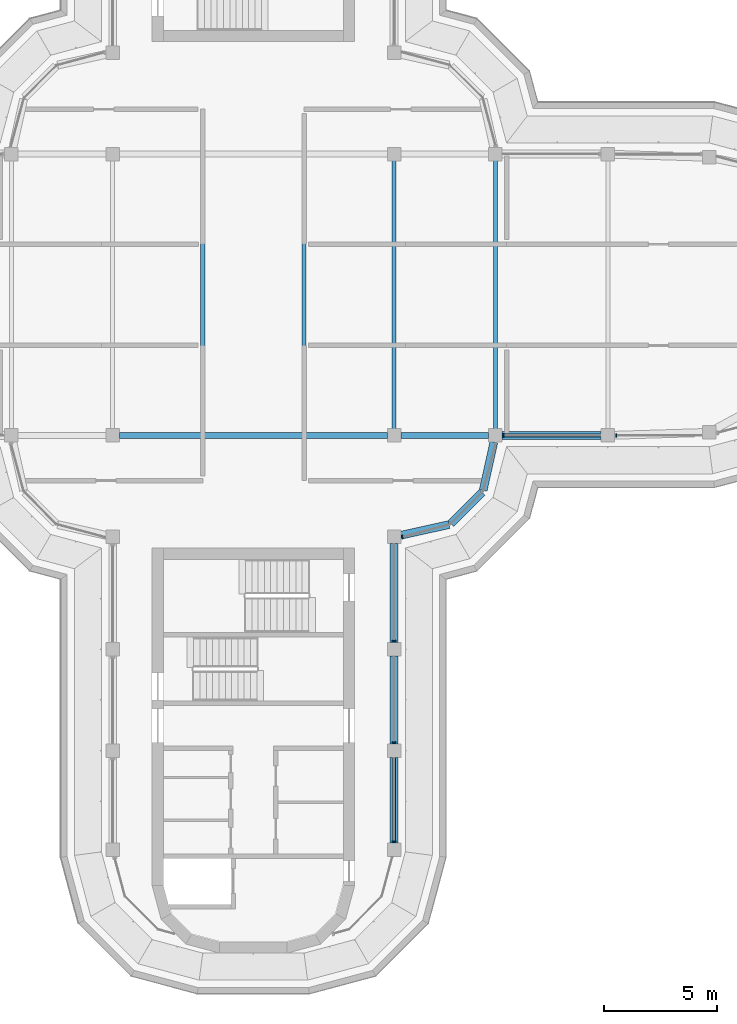
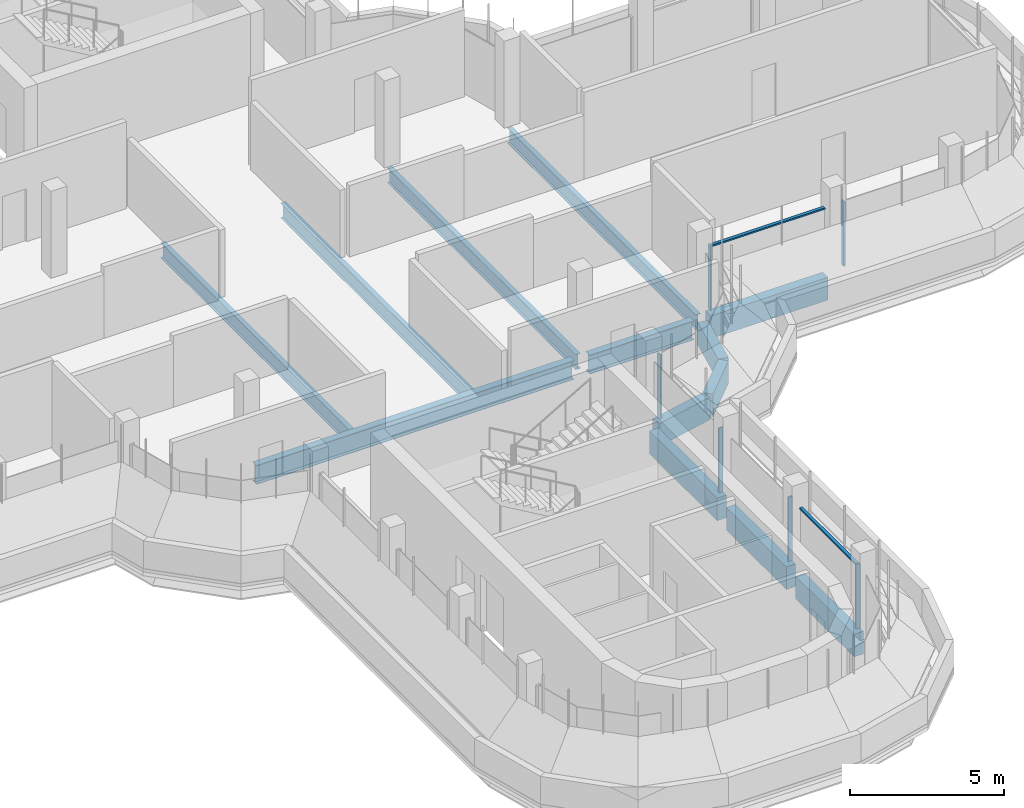
# One storey, part 4 of 19: 13 beams, 8 members, 3 elements without a shape of their own.
"""IFC4 building model written with IfcOpenShell, lengths in metres."""

from ifc_helpers import new_model, si_unit, direction, frame, origin, origin_2d, place, context, subcontext, project, spatial, polyline, rectangle, i_section, outline, extrude, source, transform, mapped, material, material_profile, profile_set, type_object, element, aggregate, save


model = new_model("IFC4")

# Units and contexts
model_context = context("Model", 3, precision=1e-05, world=origin(), true_north=direction((0.0, 1.0)))
body_context = subcontext(model_context, "Body", "Model", "MODEL_VIEW")
ifc_project = project(units=[si_unit("LENGTHUNIT", "METRE"), si_unit("AREAUNIT", "SQUARE_METRE"), si_unit("VOLUMEUNIT", "CUBIC_METRE"), si_unit("PLANEANGLEUNIT", "RADIAN"), si_unit("MASSUNIT", "GRAM", prefix="KILO")], contexts=[model_context])

# Site, building, storey
site_placement = place(None, origin())
site = spatial("IfcSite", under=ifc_project, at=site_placement, CompositionType="ELEMENT")
building_placement = place(site_placement, origin())
building = spatial("IfcBuilding", under=site, at=building_placement, Name="Zarbagh Exchange Tower", CompositionType="ELEMENT")
storey_placement = place(building_placement, frame((0.0, 0.0, 295.199951171875)))
storey = spatial("IfcBuildingStorey", under=building, at=storey_placement, Name="L72", CompositionType="ELEMENT", Elevation=295.199951171875)

# Beams
ifc_material_1 = material(Name="Steel ASTM A992 Gr 50", Category="steel")
ifc_material_profile_1 = material_profile(ifc_material_1, i_section(OverallWidth=0.1787109375, OverallDepth=0.60205078125, WebThickness=0.010986328125, FlangeThickness=0.014892578125, at=origin_2d()), Name="W24X62")
ifc_profile_set_1 = profile_set([ifc_material_profile_1], Name="Steel ASTM A992 Gr 50")
beam_type_1 = type_object("IfcBeamType", Name="Floor beam W24X62", PredefinedType="BEAM", material=ifc_profile_set_1)
for number, where, z_axis, x_axis, name in (
    (1, (-2.25, -6.117919921875, -0.450927734375), (0.0, 1.0, 0.0), (-1.0, 0.0, 0.0), "Steel floor beam"),
    (2, (2.25, -6.117919921875, -0.450927734375), (0.0, 1.0, 0.0), (-1.0, 0.0, 0.0), "Steel floor beam"),
    (3, (6.25, -6.117919921875, -0.450927734375), (0.0, 1.0, 0.0), (-1.0, 0.0, 0.0), "Steel floor beam"),
    (4, (10.75, -6.117919921875, -0.450927734375), (0.0, 1.0, 0.0), (-1.0, 0.0, 0.0), "Steel floor beam"),
):
    element("IfcBeam", number, at=place(storey_placement, frame(where, z_axis=z_axis, x_axis=x_axis)), inside=storey, type_object=beam_type_1, Name=name, PredefinedType="BEAM", context=body_context, shape_type="SweptSolid", body=[
        extrude(i_section(OverallWidth=0.1787109375, OverallDepth=0.60205078125, WebThickness=0.010986328125, FlangeThickness=0.014892578125, at=origin_2d()), origin(), (0.0, 0.0, 1.0), 12.23583984375),
    ])
ifc_material_profile_2 = material_profile(ifc_material_1, i_section(OverallWidth=0.26416015625, OverallDepth=0.749267578125, WebThickness=0.011962890625, FlangeThickness=0.015380859375, at=origin_2d()), Name="W30X90")
ifc_profile_set_2 = profile_set([ifc_material_profile_2], Name="Steel ASTM A992 Gr 50")
beam_type_2 = type_object("IfcBeamType", Name="Floor girder W30X90", PredefinedType="BEAM", material=ifc_profile_set_2)
beam_1_placement = place(storey_placement, frame((-5.949951171875, -6.25, -0.524658203125), z_axis=(1.0, 0.0, 0.0), x_axis=(0.0, 1.0, 0.0)))
element("IfcBeam", 5, at=beam_1_placement, inside=storey, type_object=beam_type_2, Name="Steel girder", PredefinedType="BEAM", context=body_context, shape_type="SweptSolid", body=[
    extrude(i_section(OverallWidth=0.26416015625, OverallDepth=0.749267578125, WebThickness=0.011962890625, FlangeThickness=0.015380859375, at=origin_2d()), origin(), (0.0, 0.0, 1.0), 11.89990234375),
])
beam_2_placement = place(storey_placement, frame((6.550048828125, -6.25, -0.524658203125), z_axis=(1.0, 0.0, 0.0), x_axis=(0.0, 1.0, 0.0)))
element("IfcBeam", 6, at=beam_2_placement, inside=storey, type_object=beam_type_2, Name="Steel girder", PredefinedType="BEAM", context=body_context, shape_type="SweptSolid", body=[
    extrude(i_section(OverallWidth=0.26416015625, OverallDepth=0.749267578125, WebThickness=0.011962890625, FlangeThickness=0.015380859375, at=origin_2d()), origin(), (0.0, 0.0, 1.0), 3.89990234375),
])
ifc_material_2 = material(Name="Concrete C40/50", Category="concrete")
ifc_material_profile_3 = material_profile(ifc_material_2, rectangle(XDim=0.35009765625, YDim=0.89990234375, at=origin_2d()), Name="RC spandrel beam 350 x 900 C40/50")
ifc_profile_set_3 = profile_set([ifc_material_profile_3], Name="Concrete C40/50")
beam_type_3 = type_object("IfcBeamType", Name="RC spandrel beam 350 x 900 C40/50", PredefinedType="SPANDREL", material=ifc_profile_set_3)
beam_3_placement = place(storey_placement, frame((15.449951171875, -6.25, -0.599853515625), z_axis=(-1.0, 0.0, 0.0), x_axis=(0.0, -1.0, 0.0)))
element("IfcBeam", 7, at=beam_3_placement, inside=storey, type_object=beam_type_3, Name="RC spandrel beam", PredefinedType="SPANDREL", context=body_context, shape_type="SweptSolid", body=[
    extrude(rectangle(XDim=0.35009765625, YDim=0.89990234375, at=origin_2d()), origin(), (0.0, 0.0, 1.0), 4.39990234375),
])
beam_4_placement = place(storey_placement, frame((10.685302734375, -6.54296875, -0.599853515625), z_axis=(-0.216025770228, -0.976387662047, 0.0), x_axis=(0.976387662047, -0.216025770228, 0.0)))
element("IfcBeam", 8, at=beam_4_placement, inside=storey, type_object=beam_type_3, Name="RC spandrel beam", PredefinedType="SPANDREL", context=body_context, shape_type="SweptSolid", body=[
    extrude(rectangle(XDim=0.35009765625, YDim=0.89990234375, at=origin_2d()), origin(), (0.0, 0.0, 1.0), 2.200439453125),
])
beam_5_placement = place(storey_placement, frame((10.16259765625, -8.77734375, -0.599853515625), z_axis=(-0.707106781187, -0.707106781187, 0.0), x_axis=(0.707106781187, -0.707106781187, 0.0)))
element("IfcBeam", 9, at=beam_5_placement, inside=storey, type_object=beam_type_3, Name="RC spandrel beam", PredefinedType="SPANDREL", context=body_context, shape_type="SweptSolid", body=[
    extrude(rectangle(XDim=0.35009765625, YDim=0.89990234375, at=origin_2d()), origin(), (0.0, 0.0, 1.0), 1.958984375),
])
beam_6_placement = place(storey_placement, frame((8.69140625, -10.2099609375, -0.599853515625), z_axis=(-0.976387662047, -0.216025770228, 0.0), x_axis=(0.216025770228, -0.976387662047, 0.0)))
element("IfcBeam", 10, at=beam_6_placement, inside=storey, type_object=beam_type_3, Name="RC spandrel beam", PredefinedType="SPANDREL", context=body_context, shape_type="SweptSolid", body=[
    extrude(rectangle(XDim=0.35009765625, YDim=0.89990234375, at=origin_2d()), origin(), (0.0, 0.0, 1.0), 2.200439453125),
])
beam_7_placement = place(storey_placement, frame((6.25, -11.050048828125, -0.599853515625), z_axis=(0.0, -1.0, 0.0), x_axis=(1.0, 0.0, 0.0)))
element("IfcBeam", 11, at=beam_7_placement, inside=storey, type_object=beam_type_3, Name="RC spandrel beam", PredefinedType="SPANDREL", context=body_context, shape_type="SweptSolid", body=[
    extrude(rectangle(XDim=0.35009765625, YDim=0.89990234375, at=origin_2d()), origin(), (0.0, 0.0, 1.0), 4.39990234375),
])
beam_8_placement = place(storey_placement, frame((6.25, -16.050048828125, -0.599853515625), z_axis=(0.0, -1.0, 0.0), x_axis=(1.0, 0.0, 0.0)))
element("IfcBeam", 12, at=beam_8_placement, inside=storey, type_object=beam_type_3, Name="RC spandrel beam", PredefinedType="SPANDREL", context=body_context, shape_type="SweptSolid", body=[
    extrude(rectangle(XDim=0.35009765625, YDim=0.89990234375, at=origin_2d()), origin(), (0.0, 0.0, 1.0), 3.89990234375),
])
beam_9_placement = place(storey_placement, frame((6.25, -20.550048828125, -0.599853515625), z_axis=(0.0, -1.0, 0.0), x_axis=(1.0, 0.0, 0.0)))
element("IfcBeam", 13, at=beam_9_placement, inside=storey, type_object=beam_type_3, Name="RC spandrel beam", PredefinedType="SPANDREL", context=body_context, shape_type="SweptSolid", body=[
    extrude(rectangle(XDim=0.35009765625, YDim=0.89990234375, at=origin_2d()), origin(), (0.0, 0.0, 1.0), 3.800048828125),
])

# Curtain wall, member
ifc_material_3 = material(Name="Anodised aluminium frame and glazing", Category="aluminium")
curtain_wall_type = type_object("IfcCurtainWallType", Name="CWF Crown tier glazing", PredefinedType="NOTDEFINED", material=ifc_material_3)
curtain_wall_1_placement = place(storey_placement, origin())
curtain_wall_1 = element("IfcCurtainWall", 14, at=curtain_wall_1_placement, inside=storey, type_object=curtain_wall_type, Name="CWF08 curtain wall", PredefinedType="NOTDEFINED")
ifc_material_4 = material(Name="Anodised aluminium frame", Category="aluminium")
member_type_1 = type_object("IfcMemberType", Name="TRF Transom, anodised aluminium frame", PredefinedType="USERDEFINED", material=ifc_material_4)
shared_shape_1 = source(origin(), body_context, "Body", "SweptSolid", [
    extrude(outline(polyline([(-0.06005859375, -0.06005859375), (0.0, -0.06005859375), (0.0, 0.06005859375), (-0.06005859375, 0.06005859375), (-0.06005859375, -0.06005859375)])), origin(), (0.0, 0.0, 1.0), 4.260009765625),
])
placement = place(storey_placement, origin())
member_1 = element("IfcMember", 15, at=placement, type_object=member_type_1, Name="CWF08 transom 1.1", ObjectType="TRANSOM", PredefinedType="USERDEFINED", context=body_context, shape_type="MappedRepresentation", body=[
    mapped(shared_shape_1, transform((11.150146484375, -6.25, 2.550048828125), x_axis=(0.0, 0.0, 1.0), y_axis=(0.0, -1.0, 0.0), z_axis=(1.0, 0.0, 0.0))),
])

# Curtain wall, members
curtain_wall_2_placement = place(storey_placement, origin())
curtain_wall_2 = element("IfcCurtainWall", 16, at=curtain_wall_2_placement, inside=storey, type_object=curtain_wall_type, Name="CWF04 curtain wall", PredefinedType="NOTDEFINED")
shared_shape_2 = source(origin(), body_context, "Body", "SweptSolid", [
    extrude(outline(polyline([(-0.06005859375, -0.06005859375), (0.0, -0.06005859375), (0.0, 0.06005859375), (-0.06005859375, 0.06005859375), (-0.06005859375, -0.06005859375)])), origin(), (0.0, 0.0, 1.0), 3.659912109375),
])
member_2 = element("IfcMember", 17, at=placement, type_object=member_type_1, Name="CWF04 transom 1.1", ObjectType="TRANSOM", PredefinedType="USERDEFINED", context=body_context, shape_type="MappedRepresentation", body=[
    mapped(shared_shape_2, transform((6.25, -24.25, 2.550048828125), x_axis=(0.0, 0.0, 1.0), y_axis=(1.0, 0.0, 0.0), z_axis=(0.0, 1.0, 0.0))),
])
member_type_2 = type_object("IfcMemberType", Name="MUF Mullion, anodised aluminium frame", PredefinedType="MULLION", material=ifc_material_4)
shared_shape_3 = source(origin(), body_context, "Body", "SweptSolid", [
    extrude(outline(polyline([(0.0, -0.080078125), (0.06005859375, -0.080078125), (0.06005859375, 0.080078125), (0.0, 0.080078125), (0.0, -0.080078125)])), origin(), (0.0, 0.0, 1.0), 2.550048828125),
])
member_3 = element("IfcMember", 18, at=placement, type_object=member_type_2, Name="CWF04 mullion 1.1", PredefinedType="MULLION", context=body_context, shape_type="MappedRepresentation", body=[
    mapped(shared_shape_3, transform((6.25, -24.31005859375, 0.0), x_axis=(0.0, 1.0, 0.0), y_axis=(-1.0, 0.0, 0.0), z_axis=(0.0, 0.0, 1.0))),
])
member_4 = element("IfcMember", 19, at=placement, type_object=member_type_2, Name="CWF04 mullion 2.1", PredefinedType="MULLION", context=body_context, shape_type="MappedRepresentation", body=[
    mapped(shared_shape_3, transform((6.25, -19.909912109375, 0.0), x_axis=(0.0, 1.0, 0.0), y_axis=(-1.0, 0.0, 0.0), z_axis=(0.0, 0.0, 1.0))),
])
member_5 = element("IfcMember", 20, at=placement, type_object=member_type_2, Name="CWF04 mullion 3.1", PredefinedType="MULLION", context=body_context, shape_type="MappedRepresentation", body=[
    mapped(shared_shape_3, transform((6.25, -15.409912109375, 0.0), x_axis=(0.0, 1.0, 0.0), y_axis=(-1.0, 0.0, 0.0), z_axis=(0.0, 0.0, 1.0))),
])
aggregate(curtain_wall_2, [member_3, member_2, member_4, member_5])

# Curtain wall, member
curtain_wall_3_placement = place(storey_placement, origin())
curtain_wall_3 = element("IfcCurtainWall", 21, at=curtain_wall_3_placement, inside=storey, type_object=curtain_wall_type, Name="CWF05 curtain wall", PredefinedType="NOTDEFINED")
member_6 = element("IfcMember", 22, at=placement, type_object=member_type_2, Name="CWF05 mullion 1.1", PredefinedType="MULLION", context=body_context, shape_type="MappedRepresentation", body=[
    mapped(shared_shape_3, transform((6.590087890625, -10.775146484375, 0.0), x_axis=(0.965924289636, 0.258824779902, 0.0), y_axis=(-0.258824779902, 0.965924289636, 0.0), z_axis=(0.0, 0.0, 1.0))),
])
aggregate(curtain_wall_3, [member_6])

# Member
member_7 = element("IfcMember", 23, at=placement, type_object=member_type_2, Name="CWF08 mullion 1.1", PredefinedType="MULLION", context=body_context, shape_type="MappedRepresentation", body=[
    mapped(shared_shape_3, transform((11.090087890625, -6.25, 0.0), x_axis=(1.0, 0.0, 0.0), y_axis=(0.0, 1.0, 0.0), z_axis=(0.0, 0.0, 1.0))),
])

member_8 = element("IfcMember", 24, at=placement, type_object=member_type_2, Name="CWF08 mullion 2.1", PredefinedType="MULLION", context=body_context, shape_type="MappedRepresentation", body=[
    mapped(shared_shape_3, transform((16.090087890625, -6.25, 0.0), x_axis=(1.0, 0.0, 0.0), y_axis=(0.0, 1.0, 0.0), z_axis=(0.0, 0.0, 1.0))),
])

aggregate(curtain_wall_1, [member_7, member_1, member_8])

save(model, "model.ifc")
